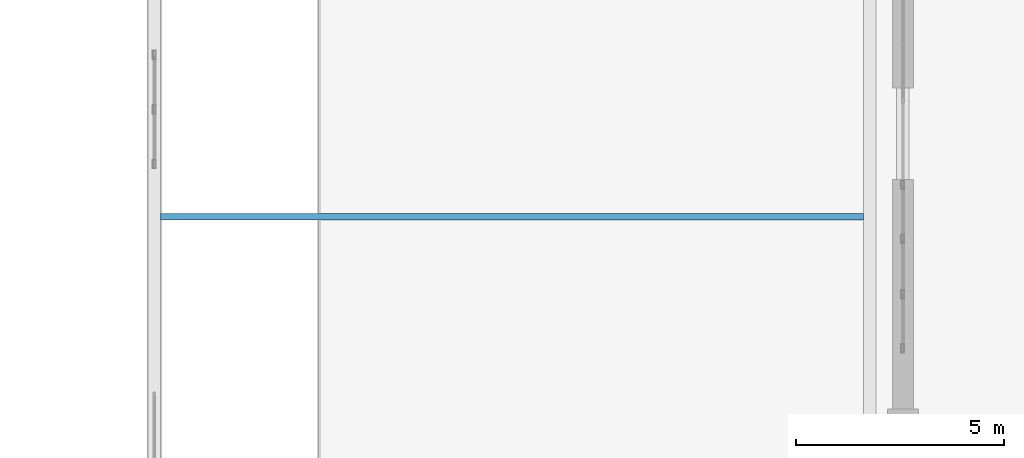
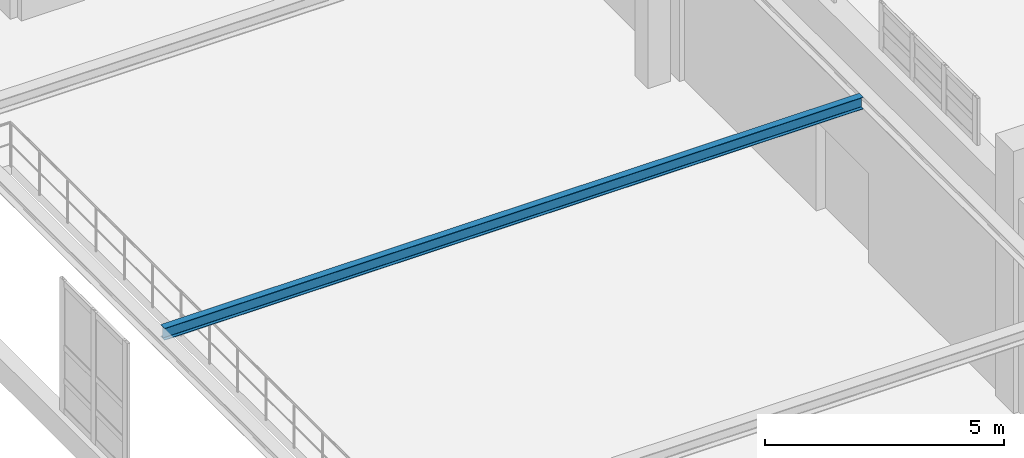
# One storey, part 121 of 197: 1 beam.
"""IFC4 building model written with IfcOpenShell, lengths in metres."""

from ifc_helpers import new_model, si_unit, derived_unit, direction, frame, origin, origin_2d, place, context, subcontext, project, spatial, i_section, extrude, material, material_profile, profile_set, type_object, element, save


model = new_model("IFC4")

# Units and contexts
model_context = context("Model", 3, precision=1e-05, world=origin(), true_north=direction((0.0, 1.0)))
body_context = subcontext(model_context, "Body", "Model", "MODEL_VIEW")
ifc_project = project(units=[si_unit("LENGTHUNIT", "METRE"), si_unit("AREAUNIT", "SQUARE_METRE"), si_unit("VOLUMEUNIT", "CUBIC_METRE"), si_unit("PLANEANGLEUNIT", "RADIAN"), si_unit("MASSUNIT", "GRAM", prefix="KILO"), derived_unit("THERMALTRANSMITTANCEUNIT", [(si_unit("POWERUNIT", "WATT"), 1), (si_unit("LENGTHUNIT", "METRE"), -2), (si_unit("THERMODYNAMICTEMPERATUREUNIT", "KELVIN"), -1)])], contexts=[model_context])

# Site, building, storey
site_placement = place(None, origin())
site = spatial("IfcSite", under=ifc_project, at=site_placement, CompositionType="ELEMENT")
building_placement = place(site_placement, origin())
building = spatial("IfcBuilding", under=site, at=building_placement, Name="Almenara Railside Exhibition Hall", CompositionType="ELEMENT")
storey_placement = place(building_placement, frame((0.0, 0.0, 5.39990234375)))
storey = spatial("IfcBuildingStorey", under=building, at=storey_placement, Name="L01", CompositionType="ELEMENT", Elevation=5.39990234375)

# Beam
ifc_material = material(Name="Structural steel S355JR", Category="steel")
ifc_material_profile = material_profile(ifc_material, i_section(OverallWidth=0.165771484375, OverallDepth=0.306640625, WebThickness=0.006591796875, FlangeThickness=0.01171875, FilletRadius=0.0087890625, at=origin_2d()), Name="UB 305x165x46")
ifc_profile_set = profile_set([ifc_material_profile], Name="Structural steel S355JR")
beam_type = type_object("IfcBeamType", Name="Steel Walkway Joist UB 305x165x46 S355JR", PredefinedType="JOIST", material=ifc_profile_set)
beam_placement = place(storey_placement, frame((120.14990234375, 81.0, 4.932861328125), z_axis=(1.0, 0.0, 0.0), x_axis=(0.0, 1.0, 0.0)))
element("IfcBeam", 1, at=beam_placement, inside=storey, type_object=beam_type, Name="Beam 0797", PredefinedType="JOIST", context=body_context, shape_type="SweptSolid", body=[
    extrude(i_section(OverallWidth=0.165771484375, OverallDepth=0.306640625, WebThickness=0.006591796875, FlangeThickness=0.01171875, FilletRadius=0.0087890625, at=origin_2d()), origin(), (0.0, 0.0, 1.0), 16.900146484375),
])

save(model, "model.ifc")
